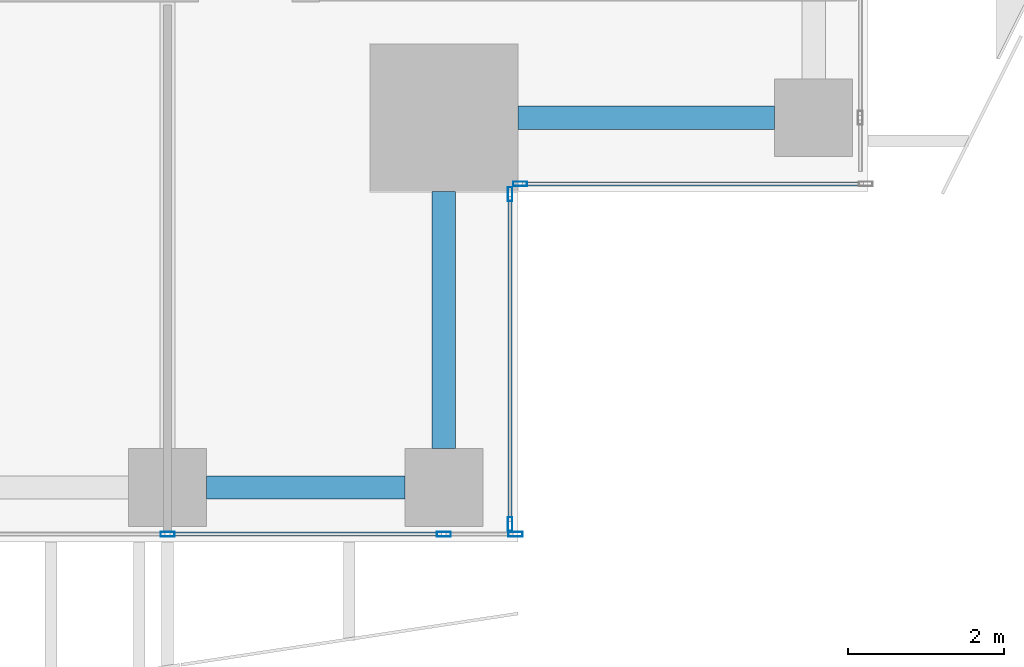
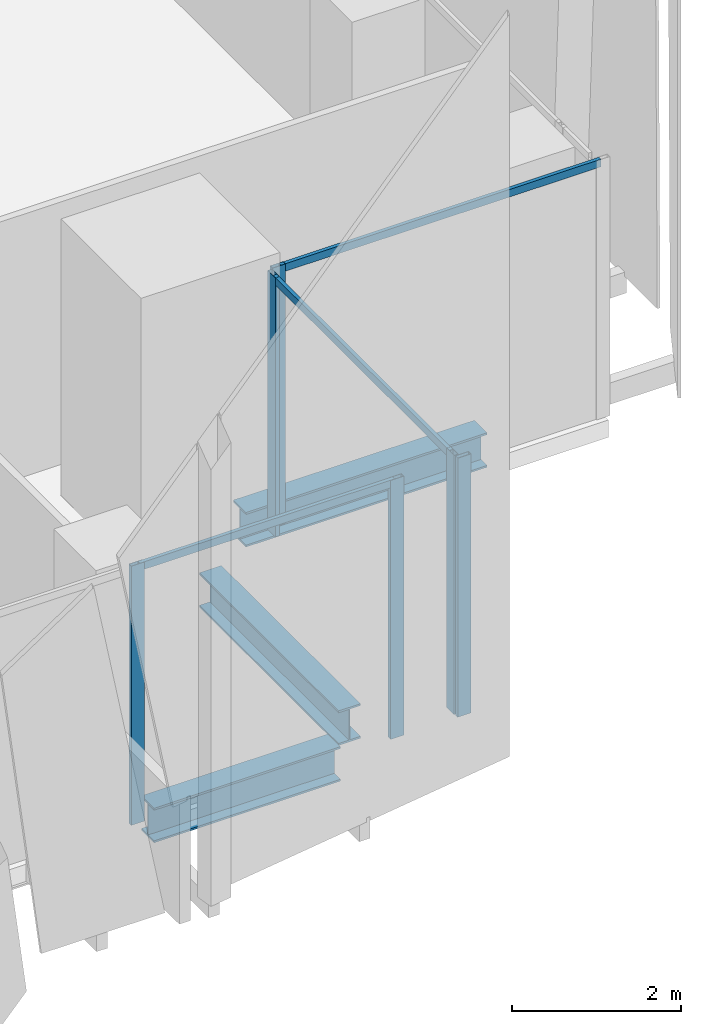
# One storey, part 9 of 35: 9 members, 3 beams, 3 elements without a shape of their own.
"""IFC4 building model written with IfcOpenShell, lengths in metres."""

from ifc_helpers import new_model, si_unit, direction, frame, origin, origin_2d, place, context, subcontext, project, spatial, hollow_rectangle, i_section, extrude, source, transform, mapped, material, material_profile, profile_set, type_object, element, aggregate, save


model = new_model("IFC4")

# Units and contexts
model_context = context("Model", 3, precision=1e-05, world=origin(), true_north=direction((0.0, 1.0)))
body_context = subcontext(model_context, "Body", "Model", "MODEL_VIEW")
ifc_project = project(units=[si_unit("LENGTHUNIT", "METRE"), si_unit("AREAUNIT", "SQUARE_METRE"), si_unit("VOLUMEUNIT", "CUBIC_METRE"), si_unit("PLANEANGLEUNIT", "RADIAN"), si_unit("MASSUNIT", "GRAM", prefix="KILO")], contexts=[model_context])

# Site, building, storey
site_placement = place(None, origin())
site = spatial("IfcSite", under=ifc_project, at=site_placement, CompositionType="ELEMENT")
building_placement = place(site_placement, origin())
building = spatial("IfcBuilding", under=site, at=building_placement, Name="Khomas Fold Tower", CompositionType="ELEMENT")
storey_placement = place(building_placement, frame((0.0, 0.0, 188.699951171875)))
storey = spatial("IfcBuildingStorey", under=building, at=storey_placement, Name="L41", CompositionType="ELEMENT", Elevation=188.699951171875)

# Beams
ifc_material_1 = material(Name="Steel S355", Category="steel")
ifc_material_profile_1 = material_profile(ifc_material_1, i_section(OverallWidth=0.300048828125, OverallDepth=0.5, WebThickness=0.014404296875, FlangeThickness=0.028076171875, at=origin_2d()), Name="HE 500 B")
ifc_profile_set_1 = profile_set([ifc_material_profile_1], Name="Steel S355")
beam_type = type_object("IfcBeamType", Name="HE 500 B spandrel SB3", PredefinedType="SPANDREL", material=ifc_profile_set_1)
shared_shape_1 = source(origin(), body_context, "Body", "SweptSolid", [
    extrude(i_section(OverallWidth=0.300048828125, OverallDepth=0.5, WebThickness=0.014404296875, FlangeThickness=0.028076171875, at=origin_2d()), origin(), (0.0, 0.0, 1.0), 2.550048828125),
])
beam_placement = place(storey_placement, frame((42.5, 3.699951171875, -0.5), z_axis=(1.0, 0.0, 0.0), x_axis=(0.0, 1.0, 0.0)))
element("IfcBeam", 1, at=beam_placement, inside=storey, type_object=beam_type, Name="SB3", PredefinedType="SPANDREL", context=body_context, shape_type="MappedRepresentation", body=[
    mapped(shared_shape_1, transform((0.0, 0.0, 0.0))),
])
shared_shape_2 = source(origin(), body_context, "Body", "SweptSolid", [
    extrude(i_section(OverallWidth=0.300048828125, OverallDepth=0.5, WebThickness=0.014404296875, FlangeThickness=0.028076171875, at=origin_2d()), origin(), (0.0, 0.0, 1.0), 3.300048828125),
])
for number, where, z_axis, x_axis, name in (
    (2, (45.550048828125, 4.199951171875, -0.5), (0.0, 1.0, 0.0), (-1.0, 0.0, 0.0), "SB3"),
    (3, (46.5, 8.449951171875, -0.5), (1.0, 0.0, 0.0), (0.0, 1.0, 0.0), "SB3"),
):
    element("IfcBeam", number, at=place(storey_placement, frame(where, z_axis=z_axis, x_axis=x_axis)), inside=storey, type_object=beam_type, Name=name, PredefinedType="SPANDREL", context=body_context, shape_type="MappedRepresentation", body=[
        mapped(shared_shape_2, transform((0.0, 0.0, 0.0))),
    ])

# Curtain wall, members
ifc_material_2 = material(Name="Aluminium framed double glazing", Category="aluminium")
curtain_wall_type = type_object("IfcCurtainWallType", Name="SK-Unitised clear-glass wall, office floors CW2", PredefinedType="NOTDEFINED", material=ifc_material_2)
curtain_wall_1_placement = place(storey_placement, origin())
curtain_wall_1 = element("IfcCurtainWall", 4, at=curtain_wall_1_placement, inside=storey, type_object=curtain_wall_type, Name="CW2 run L41 00-0", PredefinedType="NOTDEFINED")
ifc_material_3 = material(Name="Aluminium", Category="aluminium")
ifc_material_profile_2 = material_profile(ifc_material_3, hollow_rectangle(XDim=0.06005859375, YDim=0.179931640625, WallThickness=0.00390625, at=origin_2d()), Name="SK-Unitised clear-glass wall, office floors mullion CW2-M")
ifc_profile_set_2 = profile_set([ifc_material_profile_2], Name="Aluminium")
member_type_1 = type_object("IfcMemberType", Name="SK-Unitised clear-glass wall, office floors mullion CW2-M", PredefinedType="MULLION", material=ifc_profile_set_2)
shared_shape_3 = source(origin(), body_context, "Body", "SweptSolid", [
    extrude(hollow_rectangle(XDim=0.06005859375, YDim=0.179931640625, WallThickness=0.00390625, at=origin_2d()), origin(), (0.0, 0.0, 1.0), 3.75),
])
member_1_placement = place(storey_placement, frame((42.0, 3.10009765625, 0.0), z_axis=(0.0, 0.0, 1.0), x_axis=(0.0, 1.0, 0.0)))
member_1 = element("IfcMember", 5, at=member_1_placement, type_object=member_type_1, Name="CW2 mullion 5", PredefinedType="MULLION", context=body_context, shape_type="MappedRepresentation", body=[
    mapped(shared_shape_3, transform((0.0, 0.0, 0.0))),
])
member_2_placement = place(storey_placement, frame((45.550048828125, 3.10009765625, 0.0), z_axis=(0.0, 0.0, 1.0), x_axis=(0.0, 1.0, 0.0)))
member_2 = element("IfcMember", 6, at=member_2_placement, type_object=member_type_1, Name="CW2 mullion 6", PredefinedType="MULLION", context=body_context, shape_type="MappedRepresentation", body=[
    mapped(shared_shape_3, transform((0.0, 0.0, 0.0))),
])
member_3_placement = place(storey_placement, frame((46.469970703125, 3.10009765625, 0.0), z_axis=(0.0, 0.0, 1.0), x_axis=(0.0, 1.0, 0.0)))
member_3 = element("IfcMember", 7, at=member_3_placement, type_object=member_type_1, Name="CW2 mullion 7", PredefinedType="MULLION", context=body_context, shape_type="MappedRepresentation", body=[
    mapped(shared_shape_3, transform((0.0, 0.0, 0.0))),
])

curtain_wall_2_placement = place(storey_placement, origin())
curtain_wall_2 = element("IfcCurtainWall", 8, at=curtain_wall_2_placement, inside=storey, type_object=curtain_wall_type, Name="CW2 corner return L41 01", PredefinedType="NOTDEFINED")
member_4_placement = place(storey_placement, frame((46.39990234375, 3.22998046875, 0.0), z_axis=(0.0, 0.0, 1.0), x_axis=(-1.0, 0.0, 0.0)))
member_4 = element("IfcMember", 9, at=member_4_placement, type_object=member_type_1, Name="CW2 mullion 1", PredefinedType="MULLION", context=body_context, shape_type="MappedRepresentation", body=[
    mapped(shared_shape_3, transform((0.0, 0.0, 0.0))),
])
member_5_placement = place(storey_placement, frame((46.39990234375, 7.469970703125, 0.0), z_axis=(0.0, 0.0, 1.0), x_axis=(-1.0, 0.0, 0.0)))
member_5 = element("IfcMember", 10, at=member_5_placement, type_object=member_type_1, Name="CW2 mullion 2", PredefinedType="MULLION", context=body_context, shape_type="MappedRepresentation", body=[
    mapped(shared_shape_3, transform((0.0, 0.0, 0.0))),
])

curtain_wall_3_placement = place(storey_placement, origin())
curtain_wall_3 = element("IfcCurtainWall", 11, at=curtain_wall_3_placement, inside=storey, type_object=curtain_wall_type, Name="CW2 corner return L41 02", PredefinedType="NOTDEFINED")
member_6_placement = place(storey_placement, frame((46.530029296875, 7.60009765625, 0.0), z_axis=(0.0, 0.0, 1.0), x_axis=(0.0, 1.0, 0.0)))
member_6 = element("IfcMember", 12, at=member_6_placement, type_object=member_type_1, Name="CW2 mullion 1", PredefinedType="MULLION", context=body_context, shape_type="MappedRepresentation", body=[
    mapped(shared_shape_3, transform((0.0, 0.0, 0.0))),
])
ifc_material_4 = material(Name="Aluminium", Category="aluminium")
ifc_material_profile_3 = material_profile(ifc_material_4, hollow_rectangle(XDim=0.050048828125, YDim=0.110107421875, WallThickness=0.00390625, at=origin_2d()), Name="SK-Unitised clear-glass wall, office floors transom CW2-T")
ifc_profile_set_3 = profile_set([ifc_material_profile_3], Name="Aluminium")
member_type_2 = type_object("IfcMemberType", Name="SK-Unitised clear-glass wall, office floors transom CW2-T", PredefinedType="USERDEFINED", material=ifc_profile_set_3)
shared_shape_4 = source(origin(), body_context, "Body", "SweptSolid", [
    extrude(hollow_rectangle(XDim=0.050048828125, YDim=0.110107421875, WallThickness=0.00390625, at=origin_2d()), origin(), (0.0, 0.0, 1.0), 4.3798828125),
])
member_7_placement = place(storey_placement, frame((46.56005859375, 7.60009765625, 3.695068359375), z_axis=(1.0, 0.0, 0.0), x_axis=(0.0, 1.0, 0.0)))
member_7 = element("IfcMember", 13, at=member_7_placement, type_object=member_type_2, Name="CW2 transom 1", ObjectType="TRANSOM", PredefinedType="USERDEFINED", context=body_context, shape_type="MappedRepresentation", body=[
    mapped(shared_shape_4, transform((0.0, 0.0, 0.0))),
])
aggregate(curtain_wall_3, [member_6, member_7])

# Member
shared_shape_5 = source(origin(), body_context, "Body", "SweptSolid", [
    extrude(hollow_rectangle(XDim=0.050048828125, YDim=0.110107421875, WallThickness=0.00390625, at=origin_2d()), origin(), (0.0, 0.0, 1.0), 3.489990234375),
])
member_8_placement = place(storey_placement, frame((42.030029296875, 3.10009765625, 3.695068359375), z_axis=(1.0, 0.0, 0.0), x_axis=(0.0, 1.0, 0.0)))
member_8 = element("IfcMember", 14, at=member_8_placement, type_object=member_type_2, Name="CW2 transom 5", ObjectType="TRANSOM", PredefinedType="USERDEFINED", context=body_context, shape_type="MappedRepresentation", body=[
    mapped(shared_shape_5, transform((0.0, 0.0, 0.0))),
])

aggregate(curtain_wall_1, [member_1, member_2, member_3, member_8])

shared_shape_6 = source(origin(), body_context, "Body", "SweptSolid", [
    extrude(hollow_rectangle(XDim=0.050048828125, YDim=0.110107421875, WallThickness=0.00390625, at=origin_2d()), origin(), (0.0, 0.0, 1.0), 4.179931640625),
])
member_9_placement = place(storey_placement, frame((46.39990234375, 3.260009765625, 3.695068359375), z_axis=(0.0, 1.0, 0.0), x_axis=(-1.0, 0.0, 0.0)))
member_9 = element("IfcMember", 15, at=member_9_placement, type_object=member_type_2, Name="CW2 transom 1", ObjectType="TRANSOM", PredefinedType="USERDEFINED", context=body_context, shape_type="MappedRepresentation", body=[
    mapped(shared_shape_6, transform((0.0, 0.0, 0.0))),
])

aggregate(curtain_wall_2, [member_4, member_5, member_9])

save(model, "model.ifc")
